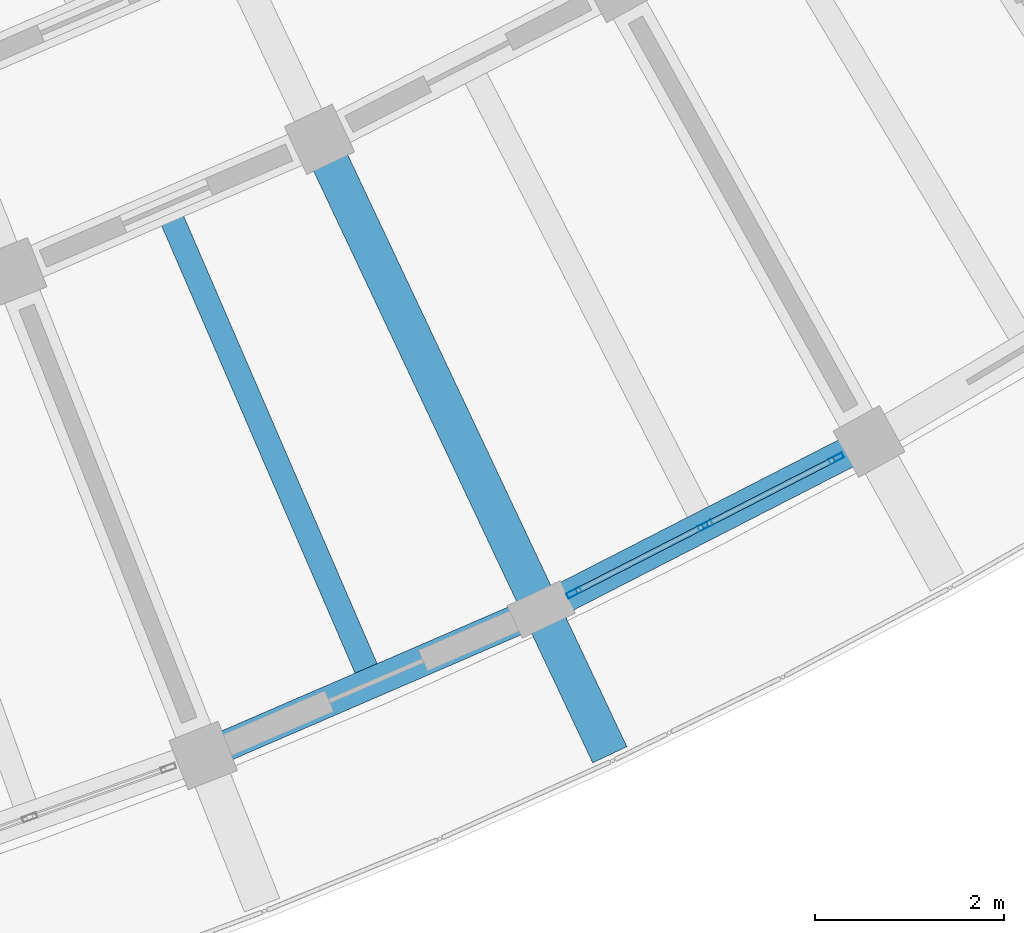
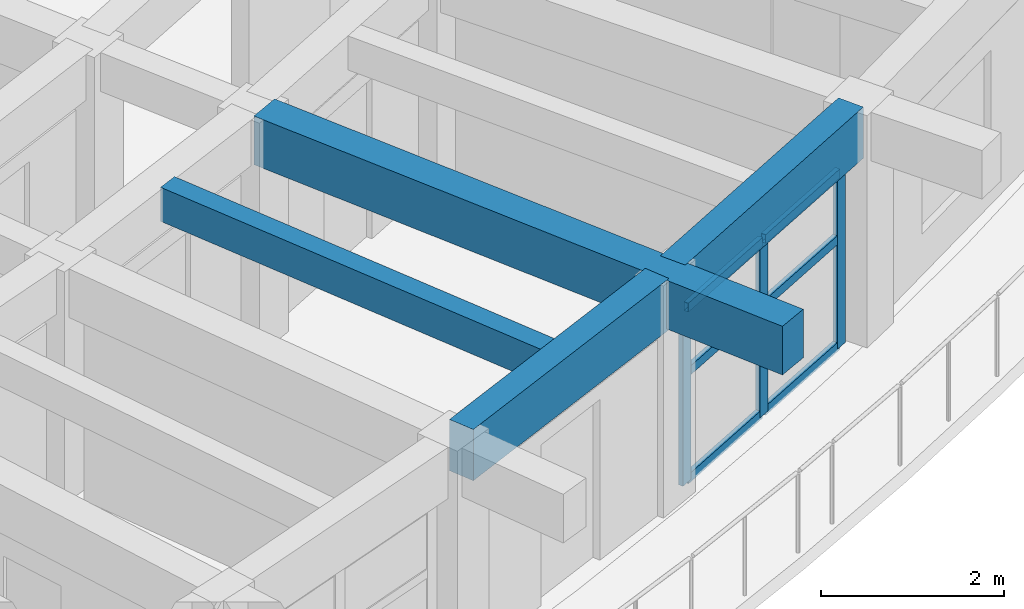
# One storey, part 27 of 96: 9 members, 4 beams, 1 element without a shape of its own.
"""IFC4 building model written with IfcOpenShell, lengths in metres."""

import ifcopenshell
import ifcopenshell.guid

model = None  # the IFC model being written
_history = None  # IfcOwnerHistory: only IFC2X3 demands one
_inside = {}  # id of a spatial element -> (the spatial element, [elements in it])
_under = {}  # id of a project, library or spatial element -> (it, [spatial elements below it])
_declared = {}  # id of a project -> (the project, [libraries it declares])
_typed = {}  # id of a type object -> (the type object, [elements of that type])
_made_of = {}  # id of a material, layer set ... -> (it, [elements and type objects made of it])


def new_model(schema):
    """Start an empty IFC model of exactly this schema.

    Asked for "IFC4X3", IfcOpenShell would pick the latest addendum, in which some entities
    have other attributes; the version numbers below select the first issue.
    IFC2X3 requires an IfcOwnerHistory on every rooted entity: one is made here for all.
    """
    global model, _history
    if schema == "IFC4X3":
        model = ifcopenshell.file(schema_version=(4, 3, 0, 0))
    else:
        model = ifcopenshell.file(schema=schema)
    _inside.clear()
    _under.clear()
    _declared.clear()
    _typed.clear()
    _made_of.clear()
    _history = None
    if model.schema == "IFC2X3":
        org = make("IfcOrganization", Name="unknown")
        user = make(
            "IfcPersonAndOrganization",
            ThePerson=make("IfcPerson", FamilyName="unknown"),
            TheOrganization=org,
        )
        app = make(
            "IfcApplication",
            ApplicationDeveloper=org,
            Version="unknown",
            ApplicationFullName="unknown",
            ApplicationIdentifier="unknown",
        )
        _history = make(
            "IfcOwnerHistory",
            OwningUser=user,
            OwningApplication=app,
            ChangeAction="ADDED",
            CreationDate=0,
        )
    return model


def make(cls, **values):
    """One entity of the class cls with the attributes given. An attribute that is None is left unset."""
    return model.create_entity(
        cls, **{name: value for name, value in values.items() if value is not None}
    )


def rooted(cls, **values):
    """An entity with a GlobalId (a new one), such as an element, a storey or a relation."""
    return make(cls, GlobalId=ifcopenshell.guid.new(), OwnerHistory=_history, **values)


def si_unit(unit_type, name, prefix=None):
    """IfcSIUnit, for example si_unit("LENGTHUNIT", "METRE", prefix="MILLI")."""
    return make("IfcSIUnit", UnitType=unit_type, Prefix=prefix, Name=name)


def assignment(units):
    """IfcUnitAssignment: the units of a project."""
    return None if units is None else make("IfcUnitAssignment", Units=units)


def point(xyz):
    """IfcCartesianPoint."""
    return None if xyz is None else make("IfcCartesianPoint", Coordinates=xyz)


def direction(xyz):
    """IfcDirection."""
    return None if xyz is None else make("IfcDirection", DirectionRatios=xyz)


def frame(location, z_axis=None, x_axis=None):
    """IfcAxis2Placement3D, a coordinate frame: its origin and axes. An axis left out is left unset."""
    return make(
        "IfcAxis2Placement3D",
        Location=point(location),
        Axis=direction(z_axis),
        RefDirection=direction(x_axis),
    )


def frame_2d(location, x_axis=None):
    """IfcAxis2Placement2D, a coordinate frame in the plane: its origin and x axis."""
    return make(
        "IfcAxis2Placement2D", Location=point(location), RefDirection=direction(x_axis)
    )


def origin():
    """The frame at (0, 0, 0) with its axes left unset."""
    return frame((0.0, 0.0, 0.0))


def origin_2d():
    """The frame at (0, 0) in the plane with its x axis left unset."""
    return frame_2d((0.0, 0.0))


def place(relative_to, where):
    """IfcLocalPlacement: puts the frame where relative to a parent placement (None: the world)."""
    return make(
        "IfcLocalPlacement", PlacementRelTo=relative_to, RelativePlacement=where
    )


def context(
    kind, dimensions, precision=None, world=None, true_north=None, identifier=None
):
    """IfcGeometricRepresentationContext, for example the 3D "Model" context."""
    return make(
        "IfcGeometricRepresentationContext",
        ContextIdentifier=identifier,
        ContextType=kind,
        CoordinateSpaceDimension=dimensions,
        Precision=precision,
        WorldCoordinateSystem=world,
        TrueNorth=true_north,
    )


def subcontext(parent, identifier, kind, view, scale=None):
    """IfcGeometricRepresentationSubContext, for example "Body" below "Model"."""
    return make(
        "IfcGeometricRepresentationSubContext",
        ContextIdentifier=identifier,
        ContextType=kind,
        ParentContext=parent,
        TargetScale=scale,
        TargetView=view,
    )


def project(units=None, contexts=None):
    """IfcProject with its units and contexts."""
    return rooted(
        "IfcProject",
        Name="project",
        RepresentationContexts=contexts,
        UnitsInContext=assignment(units),
    )


def spatial(cls, under=None, at=None, **own):
    """A site, building, storey or space (cls), placed at a placement, below another one or the project."""
    s = rooted(cls, ObjectPlacement=at, **own)
    if under is not None:
        _under.setdefault(under.id(), (under, []))[1].append(s)
    return s


def profile(cls, at=None, kind="AREA", **sizes):
    """A parametric profile (cls). Its sizes go by their IFC names, for example OverallWidth=200.0."""
    return make(cls, ProfileType=kind, Position=at, **sizes)


def rectangle(**sizes):
    """IfcRectangleProfileDef."""
    return profile("IfcRectangleProfileDef", **sizes)


def hollow_rectangle(**sizes):
    """IfcRectangleHollowProfileDef."""
    return profile("IfcRectangleHollowProfileDef", **sizes)


def extrude(swept, where, along, depth):
    """IfcExtrudedAreaSolid: the profile swept, set in the frame where, extruded along a direction by depth."""
    return make(
        "IfcExtrudedAreaSolid",
        SweptArea=swept,
        Position=where,
        ExtrudedDirection=direction(along),
        Depth=depth,
    )


def shape(context_of_items, identifier, shape_type, items):
    """IfcShapeRepresentation: the items that make up one representation, for example the "Body"."""
    return make(
        "IfcShapeRepresentation",
        ContextOfItems=context_of_items,
        RepresentationIdentifier=identifier,
        RepresentationType=shape_type,
        Items=items,
    )


def material(Name=None, Category=None):
    """IfcMaterial."""
    return make("IfcMaterial", Name=Name, Category=Category)


def material_profile(
    of_material, cross_section, Name=None, Category=None, Priority=None
):
    """IfcMaterialProfile: a cross section and its material."""
    return make(
        "IfcMaterialProfile",
        Name=Name,
        Material=of_material,
        Profile=cross_section,
        Priority=Priority,
        Category=Category,
    )


def profile_set(profiles, Name=None, composite=None):
    """IfcMaterialProfileSet."""
    return make(
        "IfcMaterialProfileSet",
        Name=Name,
        MaterialProfiles=profiles,
        CompositeProfile=composite,
    )


def made_of(thing, what):
    """Note that an element or type object is made of a material, layer set ...; save() writes the relation."""
    if what is not None:
        _made_of.setdefault(what.id(), (what, []))[1].append(thing)
    return thing


def type_object(cls, material=None, **own):
    """A type object (cls), such as IfcWallType, which elements share."""
    return made_of(rooted(cls, **own), material)


def element(
    cls,
    number,
    at=None,
    inside=None,
    cuts=None,
    type_object=None,
    material=None,
    context=None,
    identifier="Body",
    shape_type=None,
    held_by="IfcProductDefinitionShape",
    body=None,
    shapes=None,
    **own,
):
    """One element of the class cls, such as IfcWall. Its Tag is "e" and its number.

    at: its placement. inside: the storey or other place that contains it. cuts: it is an
    opening in that element (IfcRelVoidsElement). A single representation is given by context,
    identifier, shape_type and body (its items); several are given by shapes. held_by: the class
    of the entity that holds the representations. save() writes the other relations.
    """
    e = rooted(cls, Tag="e%d" % number, ObjectPlacement=at, **own)
    if body is not None:
        shapes = [shape(context, identifier, shape_type, body)]
    if shapes is not None:
        e.Representation = make(held_by, Representations=shapes)
    if inside is not None:
        _inside.setdefault(inside.id(), (inside, []))[1].append(e)
    if cuts is not None:
        rooted(
            "IfcRelVoidsElement", RelatingBuildingElement=cuts, RelatedOpeningElement=e
        )
    if type_object is not None:
        _typed.setdefault(type_object.id(), (type_object, []))[1].append(e)
    return made_of(e, material)


def aggregate(whole, parts):
    """IfcRelAggregates: a whole, such as a stair, and the parts it consists of."""
    return rooted("IfcRelAggregates", RelatingObject=whole, RelatedObjects=parts)


def save(model, path):
    """Write the relations noted so far, then the file.

    IfcRelAggregates (storeys below a building ...), IfcRelContainedInSpatialStructure (elements
    in a storey), IfcRelDefinesByType, IfcRelAssociatesMaterial and IfcRelDeclares: one each for
    every whole, place, type object, material and project.
    """
    for whole, parts in _under.values():
        aggregate(whole, parts)
    for where, things in _inside.values():
        rooted(
            "IfcRelContainedInSpatialStructure",
            RelatedElements=things,
            RelatingStructure=where,
        )
    for kind, things in _typed.values():
        rooted("IfcRelDefinesByType", RelatedObjects=things, RelatingType=kind)
    for what, things in _made_of.values():
        rooted("IfcRelAssociatesMaterial", RelatedObjects=things, RelatingMaterial=what)
    for by, libraries in _declared.values():
        rooted("IfcRelDeclares", RelatingContext=by, RelatedDefinitions=libraries)
    model.write(path)


model = new_model("IFC4")

# Units and contexts
model_context = context("Model", 3, precision=1e-05, world=origin(), true_north=direction((0.0, 1.0)))
body_context = subcontext(model_context, "Body", "Model", "MODEL_VIEW")
ifc_project = project(units=[si_unit("LENGTHUNIT", "METRE"), si_unit("AREAUNIT", "SQUARE_METRE"), si_unit("VOLUMEUNIT", "CUBIC_METRE"), si_unit("PLANEANGLEUNIT", "RADIAN"), si_unit("MASSUNIT", "GRAM", prefix="KILO")], contexts=[model_context])

# Site, building, storey
site_placement = place(None, origin())
site = spatial("IfcSite", under=ifc_project, at=site_placement, CompositionType="ELEMENT")
building_placement = place(site_placement, origin())
building = spatial("IfcBuilding", under=site, at=building_placement, Name="Tanwirah Colonnade Gardens", CompositionType="ELEMENT")
storey_placement = place(building_placement, frame((0.0, 0.0, 12.199951171875)))
storey = spatial("IfcBuildingStorey", under=building, at=storey_placement, Name="L03", CompositionType="ELEMENT", Elevation=12.199951171875)

# Beam
ifc_material_1 = material(Name="Precast concrete C45/55", Category="concrete")
ifc_material_profile_1 = material_profile(ifc_material_1, rectangle(XDim=0.39990234375, YDim=0.64990234375, at=origin_2d()), Name="PC-BM 400x650")
ifc_profile_set_1 = profile_set([ifc_material_profile_1], Name="Precast concrete C45/55")
beam_type_1 = type_object("IfcBeamType", Name="BM-PC400", PredefinedType="BEAM", material=ifc_profile_set_1)
beam_1_placement = place(storey_placement, frame((144.1201171875, 15.478515625, 2.780029296875), z_axis=(0.426567365945, -0.904455793453, 0.0), x_axis=(0.904455793453, 0.426567365945, 0.0)))
element("IfcBeam", 1, at=beam_1_placement, inside=storey, type_object=beam_type_1, Name="Block D L03 Outer Radial Precast Girder 3", PredefinedType="BEAM", context=body_context, shape_type="SweptSolid", body=[
    extrude(rectangle(XDim=0.39990234375, YDim=0.64990234375, at=origin_2d()), origin(), (0.0, 0.0, 1.0), 7.050048828125),
])

# Curtain wall, members
ifc_material_2 = material(Name="Bronze-anodised aluminium and solar-control low-E glass", Category="aluminium")
curtain_wall_type = type_object("IfcCurtainWallType", Name="CW-LOB", PredefinedType="NOTDEFINED", material=ifc_material_2)
curtain_wall_placement = place(storey_placement, origin())
curtain_wall = element("IfcCurtainWall", 2, at=curtain_wall_placement, inside=storey, type_object=curtain_wall_type, Name="Curtain Wall CW-D-L03-OUT-03", PredefinedType="NOTDEFINED")
ifc_material_3 = material(Name="Bronze-anodised aluminium", Category="aluminium")
ifc_material_profile_2 = material_profile(ifc_material_3, hollow_rectangle(XDim=0.06005859375, YDim=0.159912109375, WallThickness=0.00390625, at=origin_2d()), Name="CW-MUL 60x160x4")
ifc_profile_set_2 = profile_set([ifc_material_profile_2], Name="Bronze-anodised aluminium")
member_type_1 = type_object("IfcMemberType", Name="CWM-60x160", PredefinedType="MULLION", material=ifc_profile_set_2)
member_1_placement = place(storey_placement, frame((146.749267578125, 10.817626953125, 0.0), z_axis=(0.0, 0.0, 1.0), x_axis=(-0.455932978269, 0.890014111869, 0.0)))
member_1 = element("IfcMember", 3, at=member_1_placement, type_object=member_type_1, Name="CW-LOB mullion 1", PredefinedType="MULLION", context=body_context, shape_type="SweptSolid", body=[
    extrude(hollow_rectangle(XDim=0.06005859375, YDim=0.159912109375, WallThickness=0.00390625, at=origin_2d()), origin(), (0.0, 0.0, 1.0), 2.35498046875),
])
member_2_placement = place(storey_placement, frame((148.13623046875, 11.528076171875, 0.0), z_axis=(0.0, 0.0, 1.0), x_axis=(-0.455932978269, 0.890014111869, 0.0)))
member_2 = element("IfcMember", 4, at=member_2_placement, type_object=member_type_1, Name="CW-LOB mullion 2", PredefinedType="MULLION", context=body_context, shape_type="SweptSolid", body=[
    extrude(hollow_rectangle(XDim=0.06005859375, YDim=0.159912109375, WallThickness=0.00390625, at=origin_2d()), origin(), (0.0, 0.0, 1.0), 2.35498046875),
])
member_3_placement = place(storey_placement, frame((149.523193359375, 12.238525390625, 0.0), z_axis=(0.0, 0.0, 1.0), x_axis=(-0.455932978269, 0.890014111869, 0.0)))
member_3 = element("IfcMember", 5, at=member_3_placement, type_object=member_type_1, Name="CW-LOB mullion 3", PredefinedType="MULLION", context=body_context, shape_type="SweptSolid", body=[
    extrude(hollow_rectangle(XDim=0.06005859375, YDim=0.159912109375, WallThickness=0.00390625, at=origin_2d()), origin(), (0.0, 0.0, 1.0), 2.35498046875),
])
ifc_material_profile_3 = material_profile(ifc_material_3, hollow_rectangle(XDim=0.06005859375, YDim=0.1201171875, WallThickness=0.00390625, at=origin_2d()), Name="CW-TRN 60x120x4")
ifc_profile_set_3 = profile_set([ifc_material_profile_3], Name="Bronze-anodised aluminium")
member_type_2 = type_object("IfcMemberType", Name="CWT-60x120", PredefinedType="USERDEFINED", material=ifc_profile_set_3)
member_4_placement = place(storey_placement, frame((146.77587890625, 10.831298828125, 0.030029296875), z_axis=(0.890051426442, 0.455860130182, 0.0), x_axis=(-0.455860130182, 0.890051426442, 0.0)))
member_4 = element("IfcMember", 6, at=member_4_placement, type_object=member_type_2, Name="CW-LOB transom 1.1", ObjectType="TRANSOM", PredefinedType="USERDEFINED", context=body_context, shape_type="SweptSolid", body=[
    extrude(hollow_rectangle(XDim=0.06005859375, YDim=0.1201171875, WallThickness=0.00390625, at=origin_2d()), origin(), (0.0, 0.0, 1.0), 1.49853515625),
])
member_5_placement = place(storey_placement, frame((146.77587890625, 10.831298828125, 1.460205078125), z_axis=(0.890051426442, 0.455860130182, 0.0), x_axis=(-0.455860130182, 0.890051426442, 0.0)))
member_5 = element("IfcMember", 7, at=member_5_placement, type_object=member_type_2, Name="CW-LOB transom 1.2", ObjectType="TRANSOM", PredefinedType="USERDEFINED", context=body_context, shape_type="SweptSolid", body=[
    extrude(hollow_rectangle(XDim=0.06005859375, YDim=0.1201171875, WallThickness=0.00390625, at=origin_2d()), origin(), (0.0, 0.0, 1.0), 1.49853515625),
])
member_6_placement = place(storey_placement, frame((146.77587890625, 10.831298828125, 2.324951171875), z_axis=(0.890051426442, 0.455860130182, 0.0), x_axis=(-0.455860130182, 0.890051426442, 0.0)))
member_6 = element("IfcMember", 8, at=member_6_placement, type_object=member_type_2, Name="CW-LOB transom 1.3", ObjectType="TRANSOM", PredefinedType="USERDEFINED", context=body_context, shape_type="SweptSolid", body=[
    extrude(hollow_rectangle(XDim=0.06005859375, YDim=0.1201171875, WallThickness=0.00390625, at=origin_2d()), origin(), (0.0, 0.0, 1.0), 1.49853515625),
])
member_7_placement = place(storey_placement, frame((148.1630859375, 11.541748046875, 0.030029296875), z_axis=(0.890017562181, 0.455926242948, 0.0), x_axis=(-0.455926242948, 0.890017562181, 0.0)))
member_7 = element("IfcMember", 9, at=member_7_placement, type_object=member_type_2, Name="CW-LOB transom 2.1", ObjectType="TRANSOM", PredefinedType="USERDEFINED", context=body_context, shape_type="SweptSolid", body=[
    extrude(hollow_rectangle(XDim=0.06005859375, YDim=0.1201171875, WallThickness=0.00390625, at=origin_2d()), origin(), (0.0, 0.0, 1.0), 1.498291015625),
])
member_8_placement = place(storey_placement, frame((148.1630859375, 11.541748046875, 1.460205078125), z_axis=(0.890017562181, 0.455926242948, 0.0), x_axis=(-0.455926242948, 0.890017562181, 0.0)))
member_8 = element("IfcMember", 10, at=member_8_placement, type_object=member_type_2, Name="CW-LOB transom 2.2", ObjectType="TRANSOM", PredefinedType="USERDEFINED", context=body_context, shape_type="SweptSolid", body=[
    extrude(hollow_rectangle(XDim=0.06005859375, YDim=0.1201171875, WallThickness=0.00390625, at=origin_2d()), origin(), (0.0, 0.0, 1.0), 1.498291015625),
])
member_9_placement = place(storey_placement, frame((148.1630859375, 11.541748046875, 2.324951171875), z_axis=(0.890017562181, 0.455926242948, 0.0), x_axis=(-0.455926242948, 0.890017562181, 0.0)))
member_9 = element("IfcMember", 11, at=member_9_placement, type_object=member_type_2, Name="CW-LOB transom 2.3", ObjectType="TRANSOM", PredefinedType="USERDEFINED", context=body_context, shape_type="SweptSolid", body=[
    extrude(hollow_rectangle(XDim=0.06005859375, YDim=0.1201171875, WallThickness=0.00390625, at=origin_2d()), origin(), (0.0, 0.0, 1.0), 1.498291015625),
])
aggregate(curtain_wall, [member_1, member_2, member_3, member_4, member_5, member_6, member_7, member_8, member_9])

# Beams
ifc_material_4 = material(Name="Precast concrete C40/50", Category="concrete")
ifc_material_profile_4 = material_profile(ifc_material_4, rectangle(XDim=0.2548828125, YDim=0.455078125, at=origin_2d()), Name="PC-JST 255x455")
ifc_profile_set_4 = profile_set([ifc_material_profile_4], Name="Precast concrete C40/50")
beam_type_2 = type_object("IfcBeamType", Name="JST-PC240", PredefinedType="JOIST", material=ifc_profile_set_4)
beam_2_placement = place(storey_placement, frame((142.49169921875, 14.77587890625, 2.87744140625), z_axis=(0.396746282, -0.917928312952, 0.0), x_axis=(0.917928312952, 0.396746282, 0.0)))
element("IfcBeam", 12, at=beam_2_placement, inside=storey, type_object=beam_type_2, Name="Block D L03 Precast Floor Joist 2", PredefinedType="JOIST", context=body_context, shape_type="SweptSolid", body=[
    extrude(rectangle(XDim=0.2548828125, YDim=0.455078125, at=origin_2d()), origin(), (0.0, 0.0, 1.0), 5.260009765625),
])
ifc_material_profile_5 = material_profile(ifc_material_4, rectangle(XDim=0.324951171875, YDim=0.68505859375, at=origin_2d()), Name="PC-SP 325x685")
ifc_profile_set_5 = profile_set([ifc_material_profile_5], Name="Precast concrete C40/50")
beam_type_3 = type_object("IfcBeamType", Name="SP-PC260", PredefinedType="SPANDREL", material=ifc_profile_set_5)
for number, where, z_axis, x_axis, name in (
    (13, (142.962890625, 9.153076171875, 2.762451171875), (0.917925861765, 0.396751953118, 0.0), (-0.396751953118, 0.917925861765, 0.0), "Block D L03 Circumferential Beam 2-R3"),
    (14, (146.53564453125, 10.7080078125, 2.762451171875), (0.890013134589, 0.455934885985, 0.0), (-0.455934885985, 0.890013134589, 0.0), "Block D L03 Circumferential Beam 3-R3"),
):
    element("IfcBeam", number, at=place(storey_placement, frame(where, z_axis=z_axis, x_axis=x_axis)), inside=storey, type_object=beam_type_3, Name=name, PredefinedType="SPANDREL", context=body_context, shape_type="SweptSolid", body=[
        extrude(rectangle(XDim=0.324951171875, YDim=0.68505859375, at=origin_2d()), origin(), (0.0, 0.0, 1.0), 3.5966796875),
    ])

save(model, "model.ifc")
